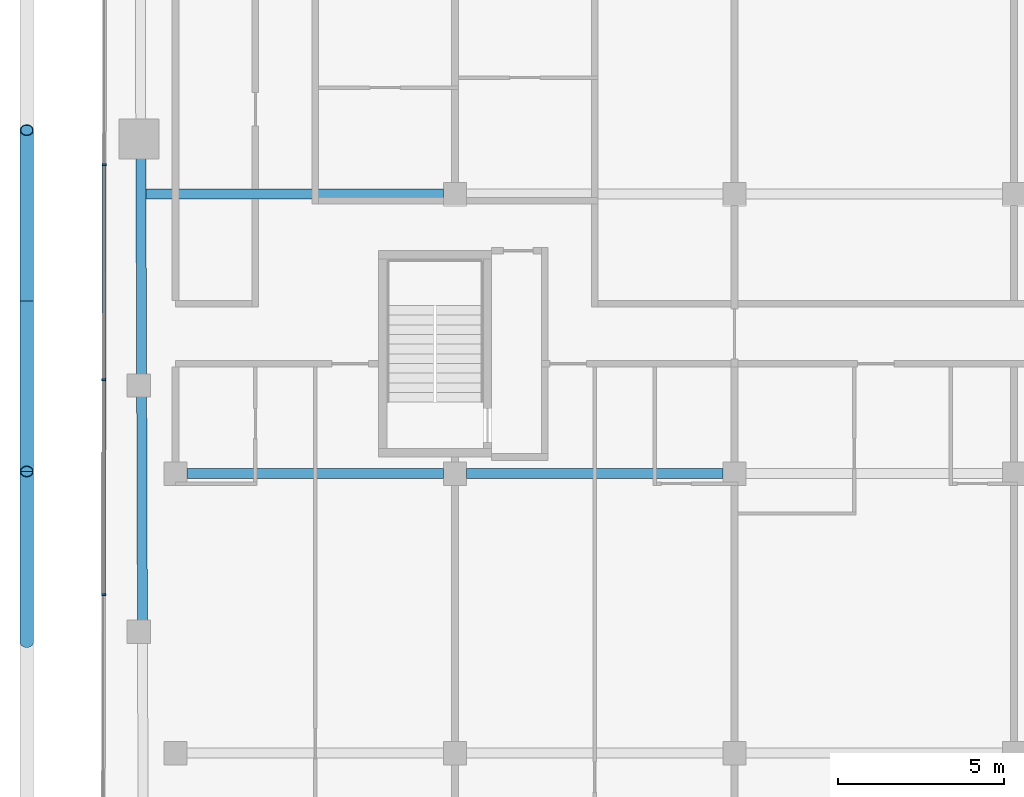
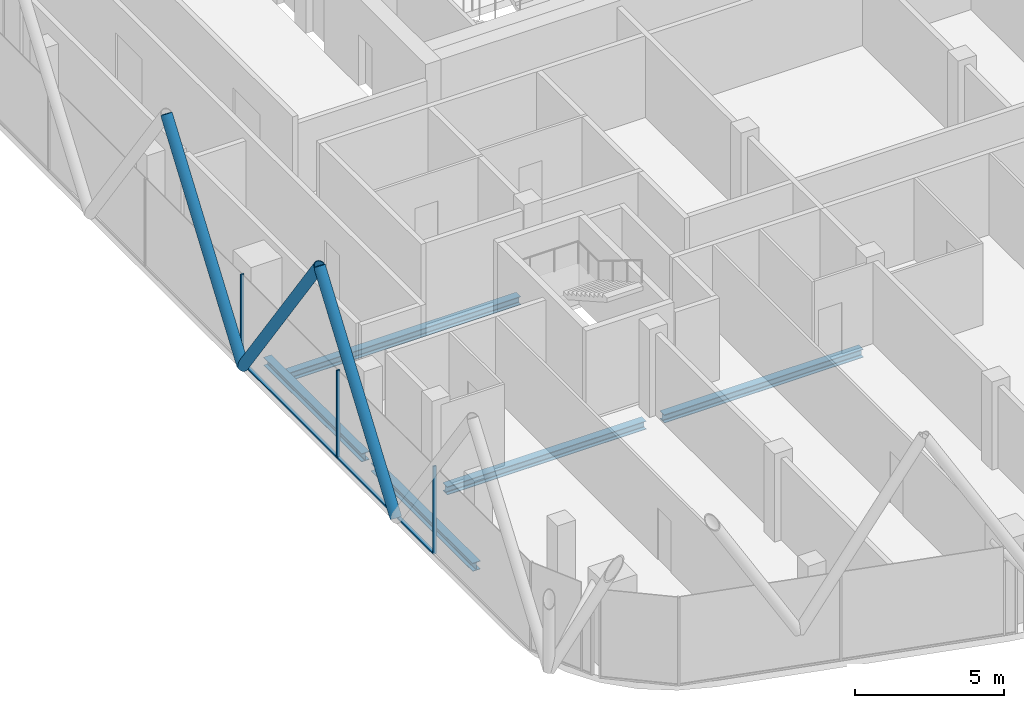
# One storey, part 4 of 27: 8 members, 5 beams, 1 element without a shape of its own.
"""IFC4 building model written with IfcOpenShell, lengths in metres."""

from ifc_helpers import new_model, si_unit, direction, frame, origin, origin_2d, place, context, subcontext, project, spatial, rectangle, hollow_circle, i_section, extrude, material, layer, layer_set, material_profile, profile_set, type_object, element, aggregate, save


model = new_model("IFC4")

# Units and contexts
model_context = context("Model", 3, precision=1e-05, world=origin(), true_north=direction((0.0, 1.0)))
body_context = subcontext(model_context, "Body", "Model", "MODEL_VIEW")
ifc_project = project(units=[si_unit("LENGTHUNIT", "METRE"), si_unit("AREAUNIT", "SQUARE_METRE"), si_unit("VOLUMEUNIT", "CUBIC_METRE"), si_unit("PLANEANGLEUNIT", "RADIAN"), si_unit("MASSUNIT", "GRAM", prefix="KILO")], contexts=[model_context])

# Site, building, storey
site_placement = place(None, origin())
site = spatial("IfcSite", under=ifc_project, at=site_placement, CompositionType="ELEMENT")
building_placement = place(site_placement, origin())
building = spatial("IfcBuilding", under=site, at=building_placement, Name="Marenta Gate Hotel Tower", CompositionType="ELEMENT")
storey_placement = place(building_placement, frame((0.0, 0.0, 270.5)))
storey = spatial("IfcBuildingStorey", under=building, at=storey_placement, Name="L62", CompositionType="ELEMENT", Elevation=270.5)

# Members
ifc_material_1 = material(Name="Steel S355J2W", Category="steel")
ifc_material_profile_1 = material_profile(ifc_material_1, hollow_circle(Radius=0.203125, WallThickness=0.02490234375, at=origin_2d()), Name="CHS 406.4x25")
ifc_profile_set_1 = profile_set([ifc_material_profile_1], Name="Steel S355J2W")
member_type_1 = type_object("IfcMemberType", Name="Diagrid diagonal Z4 CHS 406.4x25", PredefinedType="BRACE", material=ifc_profile_set_1)
for number, where, z_axis, x_axis, name in (
    (1, (-25.469970703125, -21.864501953125, 3.139892578125), (0.0, 0.580200600178, 0.81447361133), (-1.0, 0.0, 0.0), "L62-DG-27"),
    (2, (-25.469970703125, -11.60595703125, 3.139892578125), (0.0, -0.580218919795, 0.814460560808), (1.0, 0.0, 0.0), "L62-DG-28"),
    (3, (-25.469970703125, -11.60595703125, 3.139892578125), (0.0, 0.580218919795, 0.814460560808), (-1.0, 0.0, 0.0), "L62-DG-29"),
):
    element("IfcMember", number, at=place(storey_placement, frame(where, z_axis=z_axis, x_axis=x_axis)), inside=storey, type_object=member_type_1, Name=name, PredefinedType="BRACE", context=body_context, shape_type="SweptSolid", body=[
        extrude(hollow_circle(Radius=0.203125, WallThickness=0.02490234375, at=origin_2d()), origin(), (0.0, 0.0, 1.0), 8.84033203125),
    ])

# Beams
ifc_material_2 = material(Name="Steel S355", Category="steel")
ifc_material_profile_2 = material_profile(ifc_material_2, i_section(OverallWidth=0.300048828125, OverallDepth=0.340087890625, WebThickness=0.011962890625, FlangeThickness=0.021484375, FilletRadius=0.027099609375, at=origin_2d()), Name="HEB 340")
ifc_profile_set_2 = profile_set([ifc_material_profile_2], Name="Steel S355")
beam_type_1 = type_object("IfcBeamType", Name="Edge beam HEB 340", PredefinedType="SPANDREL", material=ifc_profile_set_2)
beam_1_placement = place(storey_placement, frame((-21.99365234375, -21.241943359375, -0.429931640625), z_axis=(-0.003312313063, 0.999994514276, 0.0), x_axis=(-0.999994514276, -0.003312313063, 0.0)))
element("IfcBeam", 4, at=beam_1_placement, inside=storey, type_object=beam_type_1, Name="L62-EB-6", PredefinedType="SPANDREL", context=body_context, shape_type="SweptSolid", body=[
    extrude(i_section(OverallWidth=0.300048828125, OverallDepth=0.340087890625, WebThickness=0.011962890625, FlangeThickness=0.021484375, FilletRadius=0.027099609375, at=origin_2d()), origin(), (0.0, 0.0, 1.0), 6.781005859375),
])
beam_2_placement = place(storey_placement, frame((-22.01806640625, -13.8408203125, -0.429931640625), z_axis=(-0.003364466939, 0.999994340165, 0.0), x_axis=(-0.999994340165, -0.003364466939, 0.0)))
element("IfcBeam", 5, at=beam_2_placement, inside=storey, type_object=beam_type_1, Name="L62-EB-7", PredefinedType="SPANDREL", context=body_context, shape_type="SweptSolid", body=[
    extrude(i_section(OverallWidth=0.300048828125, OverallDepth=0.340087890625, WebThickness=0.011962890625, FlangeThickness=0.021484375, FilletRadius=0.027099609375, at=origin_2d()), origin(), (0.0, 0.0, 1.0), 6.53076171875),
])
ifc_material_3 = material(Name="Steel S355", Category="steel")
ifc_material_profile_3 = material_profile(ifc_material_3, i_section(OverallWidth=0.300048828125, OverallDepth=0.340087890625, WebThickness=0.011962890625, FlangeThickness=0.021484375, FilletRadius=0.027099609375, at=origin_2d()), Name="HEB 340")
ifc_profile_set_3 = profile_set([ifc_material_profile_3], Name="Steel S355")
beam_type_2 = type_object("IfcBeamType", Name="Girder HEB 340", PredefinedType="BEAM", material=ifc_profile_set_3)
for number, where, z_axis, x_axis, name in (
    (6, (-20.64990234375, -16.800048828125, -0.429931640625), (1.0, 0.0, 0.0), (0.0, 1.0, 0.0), "L62-GD-6"),
    (7, (-12.25, -16.800048828125, -0.429931640625), (1.0, 0.0, 0.0), (0.0, 1.0, 0.0), "L62-GD-7"),
):
    element("IfcBeam", number, at=place(storey_placement, frame(where, z_axis=z_axis, x_axis=x_axis)), inside=storey, type_object=beam_type_2, Name=name, PredefinedType="BEAM", context=body_context, shape_type="SweptSolid", body=[
        extrude(i_section(OverallWidth=0.300048828125, OverallDepth=0.340087890625, WebThickness=0.011962890625, FlangeThickness=0.021484375, FilletRadius=0.027099609375, at=origin_2d()), origin(), (0.0, 0.0, 1.0), 7.699951171875),
    ])
beam_3_placement = place(storey_placement, frame((-21.88623046875, -8.39990234375, -0.429931640625), z_axis=(1.0, 0.0, 0.0), x_axis=(0.0, 1.0, 0.0)))
element("IfcBeam", 8, at=beam_3_placement, inside=storey, type_object=beam_type_2, Name="L62-GD-11", PredefinedType="BEAM", context=body_context, shape_type="SweptSolid", body=[
    extrude(i_section(OverallWidth=0.300048828125, OverallDepth=0.340087890625, WebThickness=0.011962890625, FlangeThickness=0.021484375, FilletRadius=0.027099609375, at=origin_2d()), origin(), (0.0, 0.0, 1.0), 8.936279296875),
])

# Curtain wall, members
ifc_material_4 = material(Name="Tinted insulated glass in bronze anodised frame", Category="glass")
ifc_layer = layer(ifc_material_4, 0.1201171875)
ifc_layer_set = layer_set([ifc_layer], Name="Tinted insulated glass in bronze anodised frame")
curtain_wall_type = type_object("IfcCurtainWallType", Name="Tower unitised curtain wall CW1", PredefinedType="NOTDEFINED", material=ifc_layer_set)
curtain_wall_placement = place(storey_placement, origin())
curtain_wall = element("IfcCurtainWall", 9, at=curtain_wall_placement, inside=storey, type_object=curtain_wall_type, Name="CW1 run G04", PredefinedType="NOTDEFINED")
ifc_material_5 = material(Name="Bronze anodised aluminium", Category="aluminium")
ifc_material_profile_4 = material_profile(ifc_material_5, rectangle(XDim=0.1201171875, YDim=0.06005859375, at=origin_2d()), Name="Mullion CW1 60x120 bronze anodised aluminium")
ifc_profile_set_4 = profile_set([ifc_material_profile_4], Name="Bronze anodised aluminium")
member_type_2 = type_object("IfcMemberType", Name="Mullion CW1 60x120 bronze anodised aluminium", PredefinedType="MULLION", material=ifc_profile_set_4)
member_1_placement = place(storey_placement, frame((-23.142578125, -7.513916015625, 0.0), z_axis=(0.0, 0.0, 1.0), x_axis=(0.99999877375, -0.001566045546, 0.0)))
member_1 = element("IfcMember", 10, at=member_1_placement, type_object=member_type_2, Name="CW1 mullion 4", PredefinedType="MULLION", context=body_context, shape_type="SweptSolid", body=[
    extrude(rectangle(XDim=0.1201171875, YDim=0.06005859375, at=origin_2d()), origin(), (0.0, 0.0, 1.0), 3.60009765625),
])
member_2_placement = place(storey_placement, frame((-23.15283203125, -13.973876953125, 0.0), z_axis=(0.0, 0.0, 1.0), x_axis=(0.99999877375, -0.001566045546, 0.0)))
member_2 = element("IfcMember", 11, at=member_2_placement, type_object=member_type_2, Name="CW1 mullion 5", PredefinedType="MULLION", context=body_context, shape_type="SweptSolid", body=[
    extrude(rectangle(XDim=0.1201171875, YDim=0.06005859375, at=origin_2d()), origin(), (0.0, 0.0, 1.0), 3.60009765625),
])
member_3_placement = place(storey_placement, frame((-23.162841796875, -20.433837890625, 0.0), z_axis=(0.0, 0.0, 1.0), x_axis=(0.99999877375, -0.001566045546, 0.0)))
member_3 = element("IfcMember", 12, at=member_3_placement, type_object=member_type_2, Name="CW1 mullion 6", PredefinedType="MULLION", context=body_context, shape_type="SweptSolid", body=[
    extrude(rectangle(XDim=0.1201171875, YDim=0.06005859375, at=origin_2d()), origin(), (0.0, 0.0, 1.0), 3.60009765625),
])
ifc_material_6 = material(Name="Bronze anodised aluminium", Category="aluminium")
ifc_material_profile_5 = material_profile(ifc_material_6, rectangle(XDim=0.1201171875, YDim=0.06005859375, at=origin_2d()), Name="Transom CW1 60x120 bronze anodised aluminium")
ifc_profile_set_5 = profile_set([ifc_material_profile_5], Name="Bronze anodised aluminium")
member_type_3 = type_object("IfcMemberType", Name="Transom CW1 60x120 bronze anodised aluminium", PredefinedType="USERDEFINED", material=ifc_profile_set_5)
member_4_placement = place(storey_placement, frame((-23.142578125, -7.543701171875, 0.030029296875), z_axis=(-0.001602134125, -0.999998716582, 0.0), x_axis=(0.999998716582, -0.001602134125, 0.0)))
member_4 = element("IfcMember", 13, at=member_4_placement, type_object=member_type_3, Name="CW1 transom 4.1", ObjectType="TRANSOM", PredefinedType="USERDEFINED", context=body_context, shape_type="SweptSolid", body=[
    extrude(rectangle(XDim=0.1201171875, YDim=0.06005859375, at=origin_2d()), origin(), (0.0, 0.0, 1.0), 6.400146484375),
])
member_5_placement = place(storey_placement, frame((-23.15283203125, -14.00390625, 0.030029296875), z_axis=(-0.001564047831, -0.999998776876, 0.0), x_axis=(0.999998776876, -0.001564047831, 0.0)))
member_5 = element("IfcMember", 14, at=member_5_placement, type_object=member_type_3, Name="CW1 transom 5.1", ObjectType="TRANSOM", PredefinedType="USERDEFINED", context=body_context, shape_type="SweptSolid", body=[
    extrude(rectangle(XDim=0.1201171875, YDim=0.06005859375, at=origin_2d()), origin(), (0.0, 0.0, 1.0), 6.39990234375),
])
aggregate(curtain_wall, [member_1, member_2, member_3, member_4, member_5])

save(model, "model.ifc")
